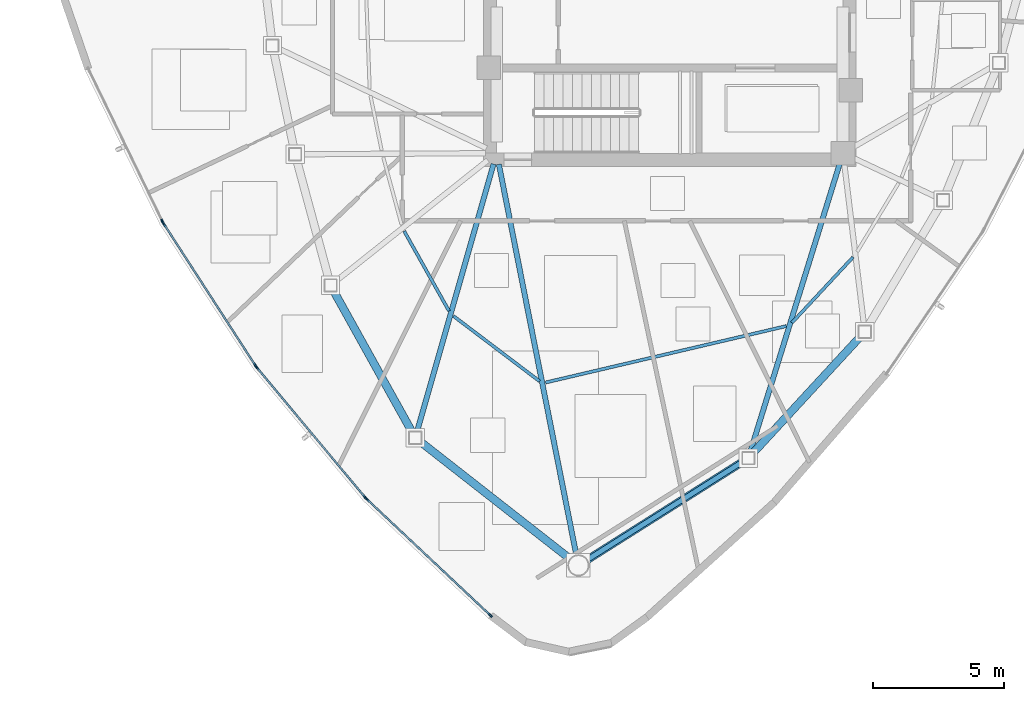
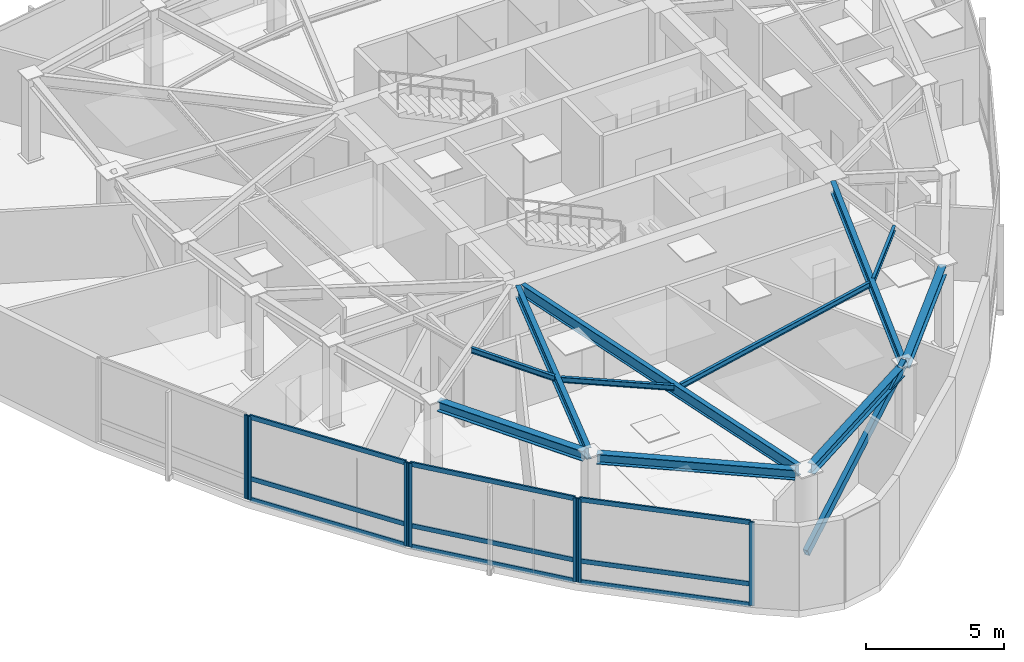
# One storey, part 2 of 12: 17 members, 11 beams, 4 elements without a shape of their own.
"""IFC4 building model written with IfcOpenShell, lengths in metres."""

from ifc_helpers import new_model, si_unit, direction, frame, origin, origin_2d, place, context, subcontext, project, spatial, hollow_rectangle, i_section, extrude, source, transform, mapped, material, layer, layer_set, material_profile, profile_set, type_object, type_shapes, element, aggregate, save


model = new_model("IFC4")

# Units and contexts
model_context = context("Model", 3, precision=1e-05, world=origin(), true_north=direction((0.0, 1.0)))
body_context = subcontext(model_context, "Body", "Model", "MODEL_VIEW")
ifc_project = project(units=[si_unit("LENGTHUNIT", "METRE"), si_unit("AREAUNIT", "SQUARE_METRE"), si_unit("VOLUMEUNIT", "CUBIC_METRE"), si_unit("PLANEANGLEUNIT", "RADIAN"), si_unit("MASSUNIT", "GRAM", prefix="KILO")], contexts=[model_context])

# Site, building, storey
site_placement = place(None, origin())
site = spatial("IfcSite", under=ifc_project, at=site_placement, CompositionType="ELEMENT")
building_placement = place(site_placement, origin())
building = spatial("IfcBuilding", under=site, at=building_placement, Name="Tavelor Broadcast Tower", CompositionType="ELEMENT")
storey_placement = place(building_placement, frame((0.0, 0.0, 293.5)))
storey = spatial("IfcBuildingStorey", under=building, at=storey_placement, Name="L70", CompositionType="ELEMENT", Elevation=293.5)

# Beams
ifc_material_1 = material(Name="Steel S355", Category="steel")
ifc_material_profile_1 = material_profile(ifc_material_1, i_section(OverallWidth=0.1201171875, OverallDepth=0.239990234375, WebThickness=0.006103515625, FlangeThickness=0.009765625, at=origin_2d()), Name="IPE 240")
ifc_profile_set_1 = profile_set([ifc_material_profile_1], Name="Steel S355")
beam_type_1 = type_object("IfcBeamType", Name="Composite Floor Joist T7 IPE 240", PredefinedType="JOIST", material=ifc_profile_set_1)
beam_1_placement = place(storey_placement, frame((39.873779296875, 35.830078125, 3.580078125), z_axis=(0.489567395479, -0.871965461061, 0.0), x_axis=(0.871965461061, 0.489567395479, 0.0)))
element("IfcBeam", 1, at=beam_1_placement, inside=storey, type_object=beam_type_1, Name="L70 Secondary Composite Floor Joist 05", PredefinedType="JOIST", context=body_context, shape_type="SweptSolid", body=[
    extrude(i_section(OverallWidth=0.1201171875, OverallDepth=0.239990234375, WebThickness=0.006103515625, FlangeThickness=0.009765625, at=origin_2d()), origin(), (0.0, 0.0, 1.0), 3.4921875),
])
beam_2_placement = place(storey_placement, frame((41.74951171875, 32.594482421875, 3.580078125), z_axis=(0.797312398186, -0.603566847747, 0.0), x_axis=(0.603566847747, 0.797312398186, 0.0)))
element("IfcBeam", 2, at=beam_2_placement, inside=storey, type_object=beam_type_1, Name="L70 Secondary Composite Floor Joist 06", PredefinedType="JOIST", context=body_context, shape_type="SweptSolid", body=[
    extrude(i_section(OverallWidth=0.1201171875, OverallDepth=0.239990234375, WebThickness=0.006103515625, FlangeThickness=0.009765625, at=origin_2d()), origin(), (0.0, 0.0, 1.0), 4.121826171875),
])
beam_3_placement = place(storey_placement, frame((45.264404296875, 30.058349609375, 3.580078125), z_axis=(0.973614241708, 0.228200149746, 0.0), x_axis=(-0.228200149746, 0.973614241708, 0.0)))
element("IfcBeam", 3, at=beam_3_placement, inside=storey, type_object=beam_type_1, Name="L70 Secondary Composite Floor Joist 07", PredefinedType="JOIST", context=body_context, shape_type="SweptSolid", body=[
    extrude(i_section(OverallWidth=0.1201171875, OverallDepth=0.239990234375, WebThickness=0.006103515625, FlangeThickness=0.009765625, at=origin_2d()), origin(), (0.0, 0.0, 1.0), 9.422119140625),
])
beam_4_placement = place(storey_placement, frame((54.651611328125, 32.332275390625, 3.580078125), z_axis=(0.681448823195, 0.731865767314, 0.0), x_axis=(-0.731865767314, 0.681448823195, 0.0)))
element("IfcBeam", 4, at=beam_4_placement, inside=storey, type_object=beam_type_1, Name="L70 Secondary Composite Floor Joist 08", PredefinedType="JOIST", context=body_context, shape_type="SweptSolid", body=[
    extrude(i_section(OverallWidth=0.1201171875, OverallDepth=0.239990234375, WebThickness=0.006103515625, FlangeThickness=0.009765625, at=origin_2d()), origin(), (0.0, 0.0, 1.0), 3.423583984375),
])
ifc_material_profile_2 = material_profile(ifc_material_1, i_section(OverallWidth=0.300048828125, OverallDepth=0.43994140625, WebThickness=0.011474609375, FlangeThickness=0.02099609375, at=origin_2d()), Name="HEA 450")
ifc_profile_set_2 = profile_set([ifc_material_profile_2], Name="Steel S355")
beam_type_2 = type_object("IfcBeamType", Name="Perimeter Spandrel Beam T7 HEA 450", PredefinedType="SPANDREL", material=ifc_profile_set_2)
beam_5_placement = place(storey_placement, frame((37.184814453125, 33.5498046875, 3.47998046875), z_axis=(0.485969141936, -0.873975968254, 0.0), x_axis=(0.873975968254, 0.485969141936, 0.0)))
element("IfcBeam", 5, at=beam_5_placement, inside=storey, type_object=beam_type_2, Name="L70 Framed-Tube Ring Spandrel 05", PredefinedType="SPANDREL", context=body_context, shape_type="SweptSolid", body=[
    extrude(i_section(OverallWidth=0.300048828125, OverallDepth=0.43994140625, WebThickness=0.011474609375, FlangeThickness=0.02099609375, at=origin_2d()), origin(), (0.0, 0.0, 1.0), 6.1630859375),
])
beam_6_placement = place(storey_placement, frame((40.485595703125, 27.8056640625, 3.47998046875), z_axis=(0.787521309141, -0.616287422919, 0.0), x_axis=(0.616287422919, 0.787521309141, 0.0)))
element("IfcBeam", 6, at=beam_6_placement, inside=storey, type_object=beam_type_2, Name="L70 Framed-Tube Ring Spandrel 06", PredefinedType="SPANDREL", context=body_context, shape_type="SweptSolid", body=[
    extrude(i_section(OverallWidth=0.300048828125, OverallDepth=0.43994140625, WebThickness=0.011474609375, FlangeThickness=0.02099609375, at=origin_2d()), origin(), (0.0, 0.0, 1.0), 7.265625),
])
beam_7_placement = place(storey_placement, frame((46.8447265625, 23.295654296875, 3.47998046875), z_axis=(0.845617600782, 0.53378916554, 0.0), x_axis=(-0.53378916554, 0.845617600782, 0.0)))
element("IfcBeam", 7, at=beam_7_placement, inside=storey, type_object=beam_type_2, Name="L70 Framed-Tube Ring Spandrel 07", PredefinedType="SPANDREL", context=body_context, shape_type="SweptSolid", body=[
    extrude(i_section(OverallWidth=0.300048828125, OverallDepth=0.43994140625, WebThickness=0.011474609375, FlangeThickness=0.02099609375, at=origin_2d()), origin(), (0.0, 0.0, 1.0), 7.03076171875),
])
beam_8_placement = place(storey_placement, frame((53.15576171875, 27.353271484375, 3.47998046875), z_axis=(0.677736891139, 0.735304499095, 0.0), x_axis=(-0.735304499095, 0.677736891139, 0.0)))
element("IfcBeam", 8, at=beam_8_placement, inside=storey, type_object=beam_type_2, Name="L70 Framed-Tube Ring Spandrel 08", PredefinedType="SPANDREL", context=body_context, shape_type="SweptSolid", body=[
    extrude(i_section(OverallWidth=0.300048828125, OverallDepth=0.43994140625, WebThickness=0.011474609375, FlangeThickness=0.02099609375, at=origin_2d()), origin(), (0.0, 0.0, 1.0), 6.06884765625),
])

# Member
ifc_material_profile_3 = material_profile(ifc_material_1, hollow_rectangle(XDim=0.199951171875, YDim=0.35009765625, WallThickness=0.01611328125, at=origin_2d()), Name="RHS 350x200x16")
ifc_profile_set_3 = profile_set([ifc_material_profile_3], Name="Steel S355")
member_type_1 = type_object("IfcMemberType", Name="Perimeter Tube Brace T7 RHS 350x200x16", PredefinedType="BRACE", material=ifc_profile_set_3)
member_1_placement = place(storey_placement, frame((46.5146484375, 23.08740234375, 0.0), z_axis=(0.761462376336, 0.480666847696, 0.434895885184), x_axis=(-0.533789146824, 0.845617612596, 0.0)))
element("IfcMember", 9, at=member_1_placement, inside=storey, type_object=member_type_1, Name="L70 Corner Tube Diagonal Brace 2", PredefinedType="BRACE", context=body_context, shape_type="SweptSolid", body=[
    extrude(hollow_rectangle(XDim=0.199951171875, YDim=0.35009765625, WallThickness=0.01611328125, at=origin_2d()), origin(), (0.0, 0.0, 1.0), 8.507568359375),
])

# Beams
ifc_material_profile_4 = material_profile(ifc_material_1, i_section(OverallWidth=0.199951171875, OverallDepth=0.5, WebThickness=0.01025390625, FlangeThickness=0.01611328125, at=origin_2d()), Name="IPE 500")
ifc_profile_set_4 = profile_set([ifc_material_profile_4], Name="Steel S355")
beam_type_3 = type_object("IfcBeamType", Name="Radial Floor Girder T7 IPE 500", PredefinedType="BEAM", material=ifc_profile_set_4)
beam_9_placement = place(storey_placement, frame((43.28125, 38.384765625, 3.449951171875), z_axis=(-0.275094925197, -0.961417069815, 0.0), x_axis=(0.961417069815, -0.275094925197, 0.0)))
element("IfcBeam", 10, at=beam_9_placement, inside=storey, type_object=beam_type_3, Name="L70 Radial Primary Floor Girder 06", PredefinedType="BEAM", context=body_context, shape_type="SweptSolid", body=[
    extrude(i_section(OverallWidth=0.199951171875, OverallDepth=0.5, WebThickness=0.01025390625, FlangeThickness=0.01611328125, at=origin_2d()), origin(), (0.0, 0.0, 1.0), 10.60986328125),
])
beam_10_placement = place(storey_placement, frame((43.48388671875, 38.376220703125, 3.449951171875), z_axis=(0.19444745334, -0.980912935938, 0.0), x_axis=(0.980912935938, 0.19444745334, 0.0)))
element("IfcBeam", 11, at=beam_10_placement, inside=storey, type_object=beam_type_3, Name="L70 Radial Primary Floor Girder 07", PredefinedType="BEAM", context=body_context, shape_type="SweptSolid", body=[
    extrude(i_section(OverallWidth=0.199951171875, OverallDepth=0.5, WebThickness=0.01025390625, FlangeThickness=0.01611328125, at=origin_2d()), origin(), (0.0, 0.0, 1.0), 15.196044921875),
])
beam_11_placement = place(storey_placement, frame((56.471923828125, 38.387451171875, 3.449951171875), z_axis=(-0.296373836186, -0.955072012585, 0.0), x_axis=(0.955072012585, -0.296373836186, 0.0)))
element("IfcBeam", 12, at=beam_11_placement, inside=storey, type_object=beam_type_3, Name="L70 Radial Primary Floor Girder 08", PredefinedType="BEAM", context=body_context, shape_type="SweptSolid", body=[
    extrude(i_section(OverallWidth=0.199951171875, OverallDepth=0.5, WebThickness=0.01025390625, FlangeThickness=0.01611328125, at=origin_2d()), origin(), (0.0, 0.0, 1.0), 11.498046875),
])

# Curtain wall, member
ifc_material_2 = material(Name="Architectural Anodized Aluminium", Category="aluminium")
ifc_layer = layer(ifc_material_2, 0.199951171875)
ifc_layer_set = layer_set([ifc_layer], Name="Architectural Anodized Aluminium")
curtain_wall_type = type_object("IfcCurtainWallType", Name="Tower High-Zone Triple-Glazed Curtain Wall CW04", PredefinedType="NOTDEFINED", material=ifc_layer_set)
curtain_wall_1_placement = place(storey_placement, origin())
curtain_wall_1 = element("IfcCurtainWall", 13, at=curtain_wall_1_placement, inside=storey, type_object=curtain_wall_type, Name="L70 Curtain Wall CW04 Run 769", PredefinedType="NOTDEFINED")
ifc_material_profile_5 = material_profile(ifc_material_2, hollow_rectangle(XDim=0.070068359375, YDim=0.199951171875, WallThickness=0.02197265625, at=origin_2d()), Name="RHS 70x200x22")
ifc_profile_set_5 = profile_set([ifc_material_profile_5], Name="Architectural Anodized Aluminium")
member_type_2 = type_object("IfcMemberType", Name="CW04 Extruded Aluminium Mullion 70x200", PredefinedType="MULLION", material=ifc_profile_set_5)
shared_shape_1 = source(origin(), body_context, "Body", "SweptSolid", [
    extrude(hollow_rectangle(XDim=0.070068359375, YDim=0.199951171875, WallThickness=0.02197265625, at=origin_2d()), origin(), (0.0, 0.0, 1.0), 3.699951171875),
])
type_shapes(member_type_2, [shared_shape_1])
member_2_placement = place(storey_placement, frame((30.664306640625, 36.190673828125, 0.0), z_axis=(0.0, 0.0, 1.0), x_axis=(0.899371122599, 0.437185983119, 0.0)))
member_2 = element("IfcMember", 14, at=member_2_placement, type_object=member_type_2, Name="CW04 mullion 2", PredefinedType="MULLION", context=body_context, shape_type="MappedRepresentation", body=[
    mapped(shared_shape_1, transform((0.0, 0.0, 0.0), scale=1.0)),
])
aggregate(curtain_wall_1, [member_2])

# Curtain wall, members
curtain_wall_2_placement = place(storey_placement, origin())
curtain_wall_2 = element("IfcCurtainWall", 15, at=curtain_wall_2_placement, inside=storey, type_object=curtain_wall_type, Name="L70 Curtain Wall CW04 Run 770", PredefinedType="NOTDEFINED")
member_3_placement = place(storey_placement, frame((30.713134765625, 36.103759765625, 0.0), z_axis=(0.0, 0.0, 1.0), x_axis=(0.839853558106, 0.542813044185, 0.0)))
member_3 = element("IfcMember", 16, at=member_3_placement, type_object=member_type_2, Name="CW04 mullion 1", PredefinedType="MULLION", context=body_context, shape_type="MappedRepresentation", body=[
    mapped(shared_shape_1, transform((0.0, 0.0, 0.0), scale=1.0)),
])
member_4_placement = place(storey_placement, frame((34.2041015625, 30.702392578125, 0.0), z_axis=(0.0, 0.0, 1.0), x_axis=(0.839853558106, 0.542813044185, 0.0)))
member_4 = element("IfcMember", 17, at=member_4_placement, type_object=member_type_2, Name="CW04 mullion 2", PredefinedType="MULLION", context=body_context, shape_type="MappedRepresentation", body=[
    mapped(shared_shape_1, transform((0.0, 0.0, 0.0), scale=1.0)),
])

curtain_wall_3_placement = place(storey_placement, origin())
curtain_wall_3 = element("IfcCurtainWall", 18, at=curtain_wall_3_placement, inside=storey, type_object=curtain_wall_type, Name="L70 Curtain Wall CW04 Run 771", PredefinedType="NOTDEFINED")
member_5_placement = place(storey_placement, frame((34.263427734375, 30.6220703125, 0.0), z_axis=(0.0, 0.0, 1.0), x_axis=(0.767999327207, 0.640450648692, 0.0)))
member_5 = element("IfcMember", 19, at=member_5_placement, type_object=member_type_2, Name="CW04 mullion 1", PredefinedType="MULLION", context=body_context, shape_type="MappedRepresentation", body=[
    mapped(shared_shape_1, transform((0.0, 0.0, 0.0), scale=1.0)),
])
member_6_placement = place(storey_placement, frame((38.382080078125, 25.68310546875, 0.0), z_axis=(0.0, 0.0, 1.0), x_axis=(0.767999327207, 0.640450648692, 0.0)))
member_6 = element("IfcMember", 20, at=member_6_placement, type_object=member_type_2, Name="CW04 mullion 2", PredefinedType="MULLION", context=body_context, shape_type="MappedRepresentation", body=[
    mapped(shared_shape_1, transform((0.0, 0.0, 0.0), scale=1.0)),
])

curtain_wall_4_placement = place(storey_placement, origin())
curtain_wall_4 = element("IfcCurtainWall", 21, at=curtain_wall_4_placement, inside=storey, type_object=curtain_wall_type, Name="L70 Curtain Wall CW04 Run 772", PredefinedType="NOTDEFINED")
member_7_placement = place(storey_placement, frame((38.450439453125, 25.6103515625, 0.0), z_axis=(0.0, 0.0, 1.0), x_axis=(0.684847605814, 0.728686322645, 0.0)))
member_7 = element("IfcMember", 22, at=member_7_placement, type_object=member_type_2, Name="CW04 mullion 1", PredefinedType="MULLION", context=body_context, shape_type="MappedRepresentation", body=[
    mapped(shared_shape_1, transform((0.0, 0.0, 0.0), scale=1.0)),
])
member_8_placement = place(storey_placement, frame((43.1484375, 21.195068359375, 0.0), z_axis=(0.0, 0.0, 1.0), x_axis=(0.684847605814, 0.728686322645, 0.0)))
member_8 = element("IfcMember", 23, at=member_8_placement, type_object=member_type_2, Name="CW04 mullion 2", PredefinedType="MULLION", context=body_context, shape_type="MappedRepresentation", body=[
    mapped(shared_shape_1, transform((0.0, 0.0, 0.0), scale=1.0)),
])

# Member
ifc_material_profile_6 = material_profile(ifc_material_2, hollow_rectangle(XDim=0.070068359375, YDim=0.199951171875, WallThickness=0.02197265625, at=origin_2d()), Name="RHS 70x200x22")
ifc_profile_set_6 = profile_set([ifc_material_profile_6], Name="Architectural Anodized Aluminium")
member_type_3 = type_object("IfcMemberType", Name="CW04 Extruded Aluminium Transom 70x200", PredefinedType="USERDEFINED", material=ifc_profile_set_6)
shared_shape_2 = source(origin(), body_context, "Body", "SweptSolid", [
    extrude(hollow_rectangle(XDim=0.070068359375, YDim=0.199951171875, WallThickness=0.02197265625, at=origin_2d()), origin(), (0.0, 0.0, 1.0), 6.361083984375),
])
member_9_placement = place(storey_placement, frame((30.732177734375, 36.07421875, 0.034912109375), z_axis=(0.542819937124, -0.83984910303, 0.0), x_axis=(0.83984910303, 0.542819937124, 0.0)))
member_9 = element("IfcMember", 24, at=member_9_placement, type_object=member_type_3, Name="CW04 transom 1.1", ObjectType="TRANSOM", PredefinedType="USERDEFINED", context=body_context, shape_type="MappedRepresentation", body=[
    mapped(shared_shape_2, transform((0.0, 0.0, 0.0), scale=1.0)),
])

member_10_placement = place(storey_placement, frame((30.732177734375, 36.07421875, 0.949951171875), z_axis=(0.542819937124, -0.83984910303, 0.0), x_axis=(0.83984910303, 0.542819937124, 0.0)))
member_10 = element("IfcMember", 25, at=member_10_placement, type_object=member_type_3, Name="CW04 transom 1.2", ObjectType="TRANSOM", PredefinedType="USERDEFINED", context=body_context, shape_type="MappedRepresentation", body=[
    mapped(shared_shape_2, transform((0.0, 0.0, 0.0), scale=1.0)),
])

member_11_placement = place(storey_placement, frame((30.732177734375, 36.07421875, 3.6650390625), z_axis=(0.542819937124, -0.83984910303, 0.0), x_axis=(0.83984910303, 0.542819937124, 0.0)))
member_11 = element("IfcMember", 26, at=member_11_placement, type_object=member_type_3, Name="CW04 transom 1.3", ObjectType="TRANSOM", PredefinedType="USERDEFINED", context=body_context, shape_type="MappedRepresentation", body=[
    mapped(shared_shape_2, transform((0.0, 0.0, 0.0), scale=1.0)),
])

aggregate(curtain_wall_2, [member_3, member_4, member_9, member_10, member_11])

member_12_placement = place(storey_placement, frame((34.28564453125, 30.59521484375, 0.034912109375), z_axis=(0.640456169361, -0.767994723372, 0.0), x_axis=(0.767994723372, 0.640456169361, 0.0)))
member_12 = element("IfcMember", 27, at=member_12_placement, type_object=member_type_3, Name="CW04 transom 1.1", ObjectType="TRANSOM", PredefinedType="USERDEFINED", context=body_context, shape_type="MappedRepresentation", body=[
    mapped(shared_shape_2, transform((0.0, 0.0, 0.0), scale=1.0)),
])

member_13_placement = place(storey_placement, frame((34.28564453125, 30.59521484375, 0.949951171875), z_axis=(0.640456169361, -0.767994723372, 0.0), x_axis=(0.767994723372, 0.640456169361, 0.0)))
member_13 = element("IfcMember", 28, at=member_13_placement, type_object=member_type_3, Name="CW04 transom 1.2", ObjectType="TRANSOM", PredefinedType="USERDEFINED", context=body_context, shape_type="MappedRepresentation", body=[
    mapped(shared_shape_2, transform((0.0, 0.0, 0.0), scale=1.0)),
])

member_14_placement = place(storey_placement, frame((34.28564453125, 30.59521484375, 3.6650390625), z_axis=(0.640456169361, -0.767994723372, 0.0), x_axis=(0.767994723372, 0.640456169361, 0.0)))
member_14 = element("IfcMember", 29, at=member_14_placement, type_object=member_type_3, Name="CW04 transom 1.3", ObjectType="TRANSOM", PredefinedType="USERDEFINED", context=body_context, shape_type="MappedRepresentation", body=[
    mapped(shared_shape_2, transform((0.0, 0.0, 0.0), scale=1.0)),
])

aggregate(curtain_wall_3, [member_5, member_6, member_12, member_13, member_14])

shared_shape_3 = source(origin(), body_context, "Body", "SweptSolid", [
    extrude(hollow_rectangle(XDim=0.070068359375, YDim=0.199951171875, WallThickness=0.02197265625, at=origin_2d()), origin(), (0.0, 0.0, 1.0), 6.376953125),
])
type_shapes(member_type_3, [shared_shape_2, shared_shape_3])
member_15_placement = place(storey_placement, frame((38.47607421875, 25.58642578125, 0.034912109375), z_axis=(0.728685366729, -0.68484862292, 0.0), x_axis=(0.68484862292, 0.728685366729, 0.0)))
member_15 = element("IfcMember", 30, at=member_15_placement, type_object=member_type_3, Name="CW04 transom 1.1", ObjectType="TRANSOM", PredefinedType="USERDEFINED", context=body_context, shape_type="MappedRepresentation", body=[
    mapped(shared_shape_3, transform((0.0, 0.0, 0.0), scale=1.0)),
])

member_16_placement = place(storey_placement, frame((38.47607421875, 25.58642578125, 0.949951171875), z_axis=(0.728685366729, -0.68484862292, 0.0), x_axis=(0.68484862292, 0.728685366729, 0.0)))
member_16 = element("IfcMember", 31, at=member_16_placement, type_object=member_type_3, Name="CW04 transom 1.2", ObjectType="TRANSOM", PredefinedType="USERDEFINED", context=body_context, shape_type="MappedRepresentation", body=[
    mapped(shared_shape_3, transform((0.0, 0.0, 0.0), scale=1.0)),
])

member_17_placement = place(storey_placement, frame((38.47607421875, 25.58642578125, 3.6650390625), z_axis=(0.728685366729, -0.68484862292, 0.0), x_axis=(0.68484862292, 0.728685366729, 0.0)))
member_17 = element("IfcMember", 32, at=member_17_placement, type_object=member_type_3, Name="CW04 transom 1.3", ObjectType="TRANSOM", PredefinedType="USERDEFINED", context=body_context, shape_type="MappedRepresentation", body=[
    mapped(shared_shape_3, transform((0.0, 0.0, 0.0), scale=1.0)),
])

aggregate(curtain_wall_4, [member_7, member_8, member_15, member_16, member_17])

save(model, "model.ifc")
